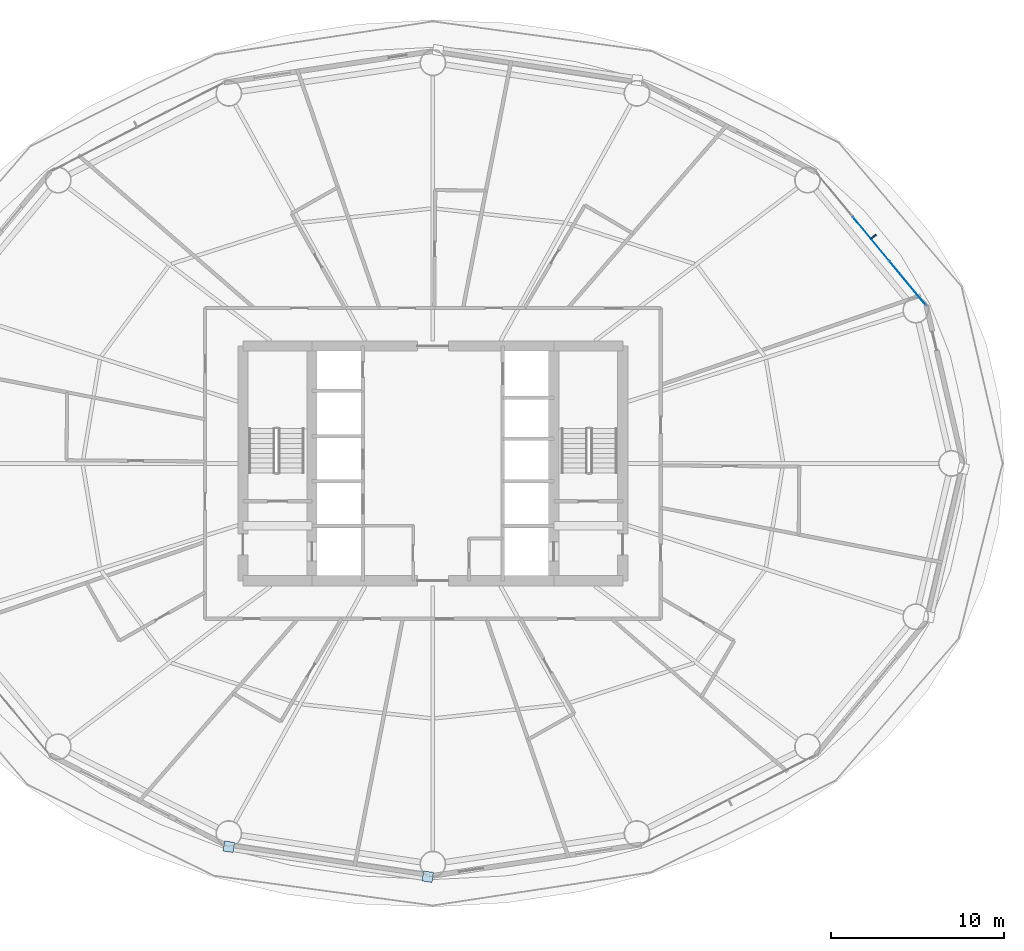
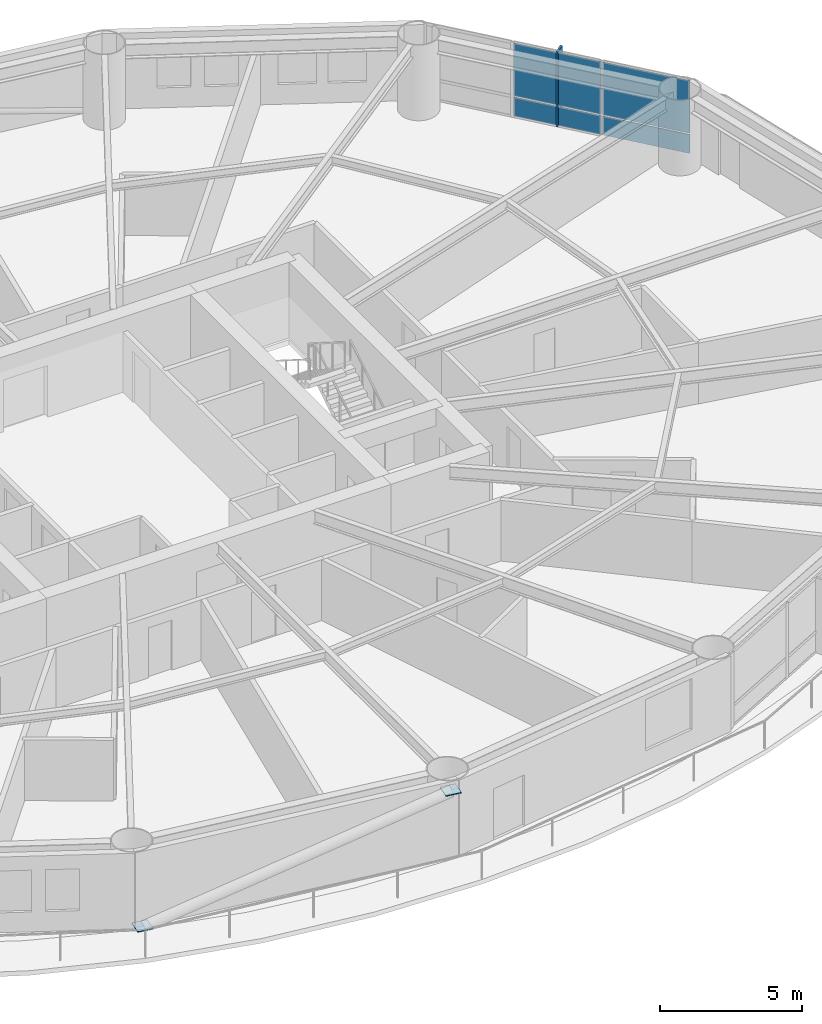
# One storey, part 19 of 27: 7 plates, 1 element without a shape of its own.
"""IFC4 building model written with IfcOpenShell, lengths in metres."""

from ifc_helpers import new_model, si_unit, direction, frame, origin, origin_2d, place, context, subcontext, project, spatial, rectangle, extrude, material, layer, layer_set, type_object, element, aggregate, save


model = new_model("IFC4")

# Units and contexts
model_context = context("Model", 3, precision=1e-05, world=origin(), true_north=direction((0.0, 1.0)))
body_context = subcontext(model_context, "Body", "Model", "MODEL_VIEW")
ifc_project = project(units=[si_unit("LENGTHUNIT", "METRE"), si_unit("AREAUNIT", "SQUARE_METRE"), si_unit("VOLUMEUNIT", "CUBIC_METRE"), si_unit("PLANEANGLEUNIT", "RADIAN"), si_unit("MASSUNIT", "GRAM", prefix="KILO")], contexts=[model_context])

# Site, building, storey
site_placement = place(None, origin())
site = spatial("IfcSite", under=ifc_project, at=site_placement, CompositionType="ELEMENT")
building_placement = place(site_placement, origin())
building = spatial("IfcBuilding", under=site, at=building_placement, Name="Sarneth Arch Tower", CompositionType="ELEMENT")
storey_placement = place(building_placement, frame((0.0, 0.0, 75.0)))
storey = spatial("IfcBuildingStorey", under=building, at=storey_placement, Name="L18", CompositionType="ELEMENT", Elevation=75.0)

# Curtain wall, plates
ifc_material_1 = material(Name="Anodised aluminium Type AA25 and solar-control low-e laminated IGU", Category="aluminium")
ifc_layer_1 = layer(ifc_material_1, 0.159912109375)
ifc_layer_set_1 = layer_set([ifc_layer_1], Name="Anodised aluminium Type AA25 and solar-control low-e laminated IGU")
curtain_wall_type = type_object("IfcCurtainWallType", Name="CW-HOTEL-LOW", PredefinedType="NOTDEFINED", material=ifc_layer_set_1)
curtain_wall_placement = place(storey_placement, origin())
curtain_wall = element("IfcCurtainWall", 1, at=curtain_wall_placement, inside=storey, type_object=curtain_wall_type, Name="L18 Unitised curtain wall facet 02", PredefinedType="NOTDEFINED")
ifc_material_2 = material(Name="Solar-control low-e laminated IGU", Category="glass")
ifc_layer_2 = layer(ifc_material_2, 0.028076171875)
ifc_layer_set_2 = layer_set([ifc_layer_2], Name="Solar-control low-e laminated IGU")
plate_type_1 = type_object("IfcPlateType", Name="CW-PANEL", PredefinedType="CURTAIN_PANEL", material=ifc_layer_set_2)
plate_1_placement = place(storey_placement, frame((75.503662109375, 52.441162109375, 0.06005859375), z_axis=(0.0, 0.0, 1.0), x_axis=(-0.637291340827, 0.770622960278, 0.0)))
plate_1 = element("IfcPlate", 2, at=plate_1_placement, type_object=plate_type_1, Name="Curtain wall glazed vision pane CW-L18-F02/P00-00", PredefinedType="CURTAIN_PANEL", context=body_context, shape_type="SweptSolid", body=[
    extrude(rectangle(XDim=3.260986328125, YDim=0.028076171875, at=origin_2d()), origin(), (0.0, 0.0, 1.0), 0.81005859375),
])
plate_2_placement = place(storey_placement, frame((75.503662109375, 52.441162109375, 0.93017578125), z_axis=(0.0, 0.0, 1.0), x_axis=(-0.637291340827, 0.770622960278, 0.0)))
plate_2 = element("IfcPlate", 3, at=plate_2_placement, type_object=plate_type_1, Name="Curtain wall glazed vision pane CW-L18-F02/P00-01", PredefinedType="CURTAIN_PANEL", context=body_context, shape_type="SweptSolid", body=[
    extrude(rectangle(XDim=3.260986328125, YDim=0.028076171875, at=origin_2d()), origin(), (0.0, 0.0, 1.0), 2.260009765625),
])
plate_3_placement = place(storey_placement, frame((73.37744140625, 55.01220703125, 0.06005859375), z_axis=(0.0, 0.0, 1.0), x_axis=(-0.637291340827, 0.770622960278, 0.0)))
plate_3 = element("IfcPlate", 4, at=plate_3_placement, type_object=plate_type_1, Name="Curtain wall glazed vision pane CW-L18-F02/P01-00", PredefinedType="CURTAIN_PANEL", context=body_context, shape_type="SweptSolid", body=[
    extrude(rectangle(XDim=3.291015625, YDim=0.028076171875, at=origin_2d()), origin(), (0.0, 0.0, 1.0), 0.81005859375),
])
plate_4_placement = place(storey_placement, frame((73.37744140625, 55.01220703125, 0.93017578125), z_axis=(0.0, 0.0, 1.0), x_axis=(-0.637291340827, 0.770622960278, 0.0)))
plate_4 = element("IfcPlate", 5, at=plate_4_placement, type_object=plate_type_1, Name="Curtain wall glazed vision pane CW-L18-F02/P01-01", PredefinedType="CURTAIN_PANEL", context=body_context, shape_type="SweptSolid", body=[
    extrude(rectangle(XDim=3.291015625, YDim=0.028076171875, at=origin_2d()), origin(), (0.0, 0.0, 1.0), 2.260009765625),
])
aggregate(curtain_wall, [plate_1, plate_2, plate_3, plate_4])

# Plates
ifc_material_3 = material(Name="Steel S355", Category="steel")
ifc_layer_3 = layer(ifc_material_3, 0.035888671875)
ifc_layer_set_3 = layer_set([ifc_layer_3], Name="Steel S355")
plate_type_2 = type_object("IfcPlateType", Name="PLT-GUSSET-30", PredefinedType="SHEET", material=ifc_layer_set_3)
for number, where, z_axis, x_axis, name in (
    (6, (36.180419921875, 19.80078125, 0.001953125), (0.0, 0.0, 1.0), (0.98883454203, -0.149017611339, 0.0), "Steel end cap plate GP-1"),
    (7, (47.703369140625, 18.064697265625, 2.85888671875), (0.0, 0.0, 1.0), (0.98883454203, -0.149017611339, 0.0), "Steel end cap plate GP-1"),
):
    element("IfcPlate", number, at=place(storey_placement, frame(where, z_axis=z_axis, x_axis=x_axis)), inside=storey, type_object=plate_type_2, Name=name, PredefinedType="SHEET", context=body_context, shape_type="SweptSolid", body=[
        extrude(rectangle(XDim=0.587890625, YDim=0.587890625, at=origin_2d()), origin(), (0.0, 0.0, 1.0), 0.035888671875),
    ])
ifc_material_4 = material(Name="Extruded glazed terracotta baguette fin on Aluminium 6063-T6 carrier", Category="masonry")
ifc_layer_4 = layer(ifc_material_4, 0.080078125)
ifc_layer_set_4 = layer_set([ifc_layer_4], Name="Extruded glazed terracotta baguette fin on Aluminium 6063-T6 carrier")
plate_type_3 = type_object("IfcPlateType", Name="SHADE-TERRA-FIN", PredefinedType="SHEET", material=ifc_layer_set_4)
plate_5_placement = place(storey_placement, frame((73.508544921875, 55.120361328125, 0.010009765625), z_axis=(0.0, 0.0, 1.0), x_axis=(0.770624482513, 0.637289500111, 0.0)))
element("IfcPlate", 8, at=plate_5_placement, inside=storey, type_object=plate_type_3, Name="L18 Terracotta vertical shading fin 02", PredefinedType="SHEET", context=body_context, shape_type="SweptSolid", body=[
    extrude(rectangle(XDim=0.419921875, YDim=0.080078125, at=origin_2d()), origin(), (0.0, 0.0, 1.0), 3.22998046875),
])

save(model, "model.ifc")
